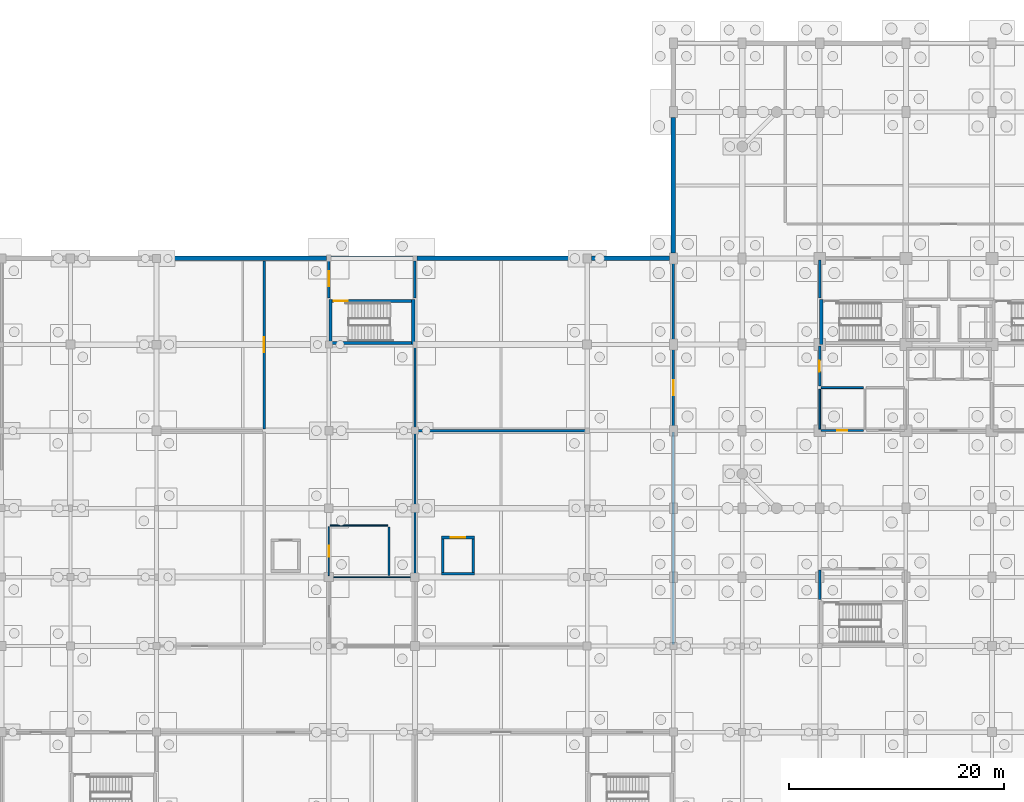
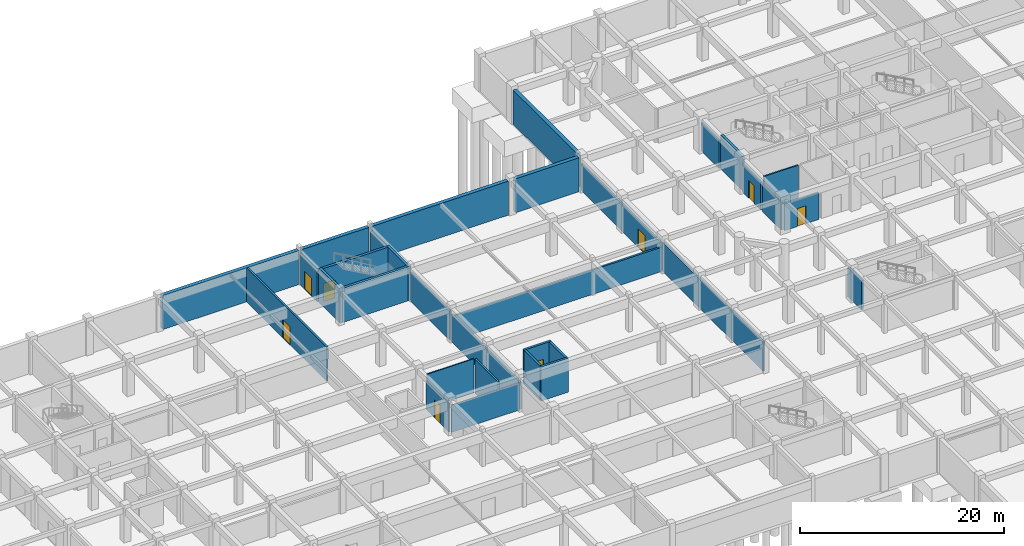
# One storey, part 22 of 28: 32 walls, 8 doors, 8 openings.
"""IFC4 building model written with IfcOpenShell, lengths in metres."""

from ifc_helpers import new_model, si_unit, direction, frame, frame_2d, origin, place, context, subcontext, project, spatial, rectangle, extrude, material, layer, layer_set, type_object, element, fill, save


model = new_model("IFC4")

# Units and contexts
model_context = context("Model", 3, precision=1e-05, world=origin(), true_north=direction((0.0, 1.0)))
body_context = subcontext(model_context, "Body", "Model", "MODEL_VIEW")
ifc_project = project(units=[si_unit("LENGTHUNIT", "METRE"), si_unit("AREAUNIT", "SQUARE_METRE"), si_unit("VOLUMEUNIT", "CUBIC_METRE"), si_unit("PLANEANGLEUNIT", "RADIAN"), si_unit("MASSUNIT", "GRAM", prefix="KILO")], contexts=[model_context])

# Site, building, storey
site_placement = place(None, origin())
site = spatial("IfcSite", under=ifc_project, at=site_placement, CompositionType="ELEMENT")
building_placement = place(site_placement, origin())
building = spatial("IfcBuilding", under=site, at=building_placement, Name="Vellmiral Cinema and Media Centre", CompositionType="ELEMENT")
storey_placement = place(building_placement, frame((0.0, 0.0, -4.5)))
storey = spatial("IfcBuildingStorey", under=building, at=storey_placement, Name="B1", CompositionType="ELEMENT", Elevation=-4.5)

# Walls
ifc_material_1 = material(Name="Concrete C30/37", Category="concrete")
ifc_layer_1 = layer(ifc_material_1, 0.419921875, Name="Concrete C30/37")
ifc_layer_set_1 = layer_set([ifc_layer_1], Name="Concrete C30/37")
wall_type_1 = type_object("IfcWallType", Name="WL-B1-RET-420", PredefinedType="SOLIDWALL", material=ifc_layer_set_1)
wall_1_placement = place(storey_placement, frame((110.39990234375, 108.300048828125, 0.0), z_axis=(0.0, 0.0, 1.0), x_axis=(0.0, -1.0, 0.0)))
element("IfcWall", 1, at=wall_1_placement, inside=storey, type_object=wall_type_1, Name="Basement Retaining Wall B1-054", PredefinedType="SOLIDWALL", context=body_context, shape_type="SweptSolid", body=[
    extrude(rectangle(XDim=12.60009765625, YDim=0.419921875, at=frame_2d((6.300048828125, 0.0))), origin(), (0.0, 0.0, 1.0), 4.080078125),
])
wall_2_placement = place(storey_placement, frame((110.02490234375, 95.199951171875, 0.0), z_axis=(0.0, 0.0, 1.0), x_axis=(-1.0, 0.0, 0.0)))
element("IfcWall", 2, at=wall_2_placement, inside=storey, type_object=wall_type_1, Name="Basement Retaining Wall B1-055", PredefinedType="SOLIDWALL", context=body_context, shape_type="SweptSolid", body=[
    extrude(rectangle(XDim=7.224853515625, YDim=0.419921875, at=frame_2d((3.6123046875, 0.0))), origin(), (0.0, 0.0, 1.0), 4.080078125),
])
wall_3_placement = place(storey_placement, frame((102.0, 95.199951171875, 0.0), z_axis=(0.0, 0.0, 1.0), x_axis=(-1.0, 0.0, 0.0)))
element("IfcWall", 3, at=wall_3_placement, inside=storey, type_object=wall_type_1, Name="Basement Retaining Wall B1-056", PredefinedType="SOLIDWALL", context=body_context, shape_type="SweptSolid", body=[
    extrude(rectangle(XDim=15.39990234375, YDim=0.419921875, at=frame_2d((7.699951171875, 0.0))), origin(), (0.0, 0.0, 1.0), 4.080078125),
])
wall_4_placement = place(storey_placement, frame((86.199951171875, 95.199951171875, 0.0), z_axis=(0.0, 0.0, 1.0), x_axis=(-1.0, 0.0, 0.0)))
element("IfcWall", 4, at=wall_4_placement, inside=storey, type_object=wall_type_1, Name="Basement Retaining Wall B1-057", PredefinedType="SOLIDWALL", context=body_context, shape_type="SweptSolid", body=[
    extrude(rectangle(XDim=7.599853515625, YDim=0.419921875, at=frame_2d((3.7998046875, 0.0))), origin(), (0.0, 0.0, 1.0), 4.080078125),
])
wall_5_placement = place(storey_placement, frame((78.199951171875, 95.199951171875, 0.0), z_axis=(0.0, 0.0, 1.0), x_axis=(-1.0, 0.0, 0.0)))
element("IfcWall", 5, at=wall_5_placement, inside=storey, type_object=wall_type_1, Name="Basement Retaining Wall B1-058", PredefinedType="SOLIDWALL", context=body_context, shape_type="SweptSolid", body=[
    extrude(rectangle(XDim=15.425048828125, YDim=0.419921875, at=frame_2d((7.71240234375, 0.0))), origin(), (0.0, 0.0, 1.0), 4.080078125),
])

# Wall, opening, door
ifc_material_2 = material(Name="Concrete C40/50", Category="concrete")
ifc_layer_2 = layer(ifc_material_2, 0.2099609375, Name="Concrete C40/50")
ifc_layer_set_2 = layer_set([ifc_layer_2], Name="Concrete C40/50")
wall_type_2 = type_object("IfcWallType", Name="WL-COMP-210", PredefinedType="SOLIDWALL", material=ifc_layer_set_2)
wall_6_placement = place(storey_placement, frame((124.0, 83.340087890625, 0.0), z_axis=(0.0, 0.0, 1.0), x_axis=(0.0, 1.0, 0.0)))
wall_6 = element("IfcWall", 6, at=wall_6_placement, inside=storey, type_object=wall_type_2, Name="Electrical and Telecom Riser Room Wall W", PredefinedType="SOLIDWALL", context=body_context, shape_type="SweptSolid", body=[
    extrude(rectangle(XDim=3.719970703125, YDim=0.2099609375, at=frame_2d((1.85986328125, 0.0))), origin(), (0.0, 0.0, 1.0), 3.324951171875),
])
opening_1_placement = place(wall_6_placement, frame((1.360107421875, 0.0, 0.0)))
opening_1 = element("IfcOpeningElement", 7, at=opening_1_placement, cuts=wall_6, Name="Opening D-FD30B", PredefinedType="OPENING", context=body_context, shape_type="SweptSolid", body=[
    extrude(rectangle(XDim=1.0, YDim=2.14990234375, at=frame_2d((0.5, 1.074951171875))), frame((0.0, 0.116943359375, 0.0), z_axis=(0.0, -1.0, 0.0), x_axis=(1.0, 0.0, 0.0)), (0.0, 0.0, 1.0), 0.23388671875),
])
ifc_material_3 = material(Name="Steel Riser Fire Door", Category="steel")
door_type_1 = type_object("IfcDoorType", Name="DR-FD30-1000x2150", OperationType="NOTDEFINED", PredefinedType="DOOR", material=ifc_material_3)
door_1_placement = place(opening_1_placement, frame((1.0, 0.0, 0.0), z_axis=(0.0, 0.0, 1.0), x_axis=(-1.0, 0.0, 0.0)))
door_1 = element("IfcDoor", 8, at=door_1_placement, inside=storey, type_object=door_type_1, Name="Electrical and Telecom Riser Room Door", OperationType="SINGLE_SWING_LEFT", OverallHeight=2.14990234375, OverallWidth=1.0, PredefinedType="DOOR", context=body_context, shape_type="SweptSolid", body=[
    extrude(rectangle(XDim=1.0, YDim=2.14990234375, at=frame_2d((0.5, 1.074951171875))), frame((0.0, 0.02490234375, 0.0), z_axis=(0.0, -1.0, 0.0), x_axis=(1.0, 0.0, 0.0)), (0.0, 0.0, 1.0), 0.050048828125),
])
fill(opening_1, door_1)

wall_7_placement = place(storey_placement, frame((72.39990234375, 79.340087890625, 0.0), z_axis=(0.0, 0.0, 1.0), x_axis=(0.0, 1.0, 0.0)))
wall_7 = element("IfcWall", 9, at=wall_7_placement, inside=storey, type_object=wall_type_2, Name="Compact Mobile Archive Shelving Room Wall E", PredefinedType="SOLIDWALL", context=body_context, shape_type="SweptSolid", body=[
    extrude(rectangle(XDim=15.635009765625, YDim=0.2099609375, at=frame_2d((7.8173828125, 0.0))), origin(), (0.0, 0.0, 1.0), 4.080078125),
])
opening_2_placement = place(wall_7_placement, frame((7.159912109375, 0.0, 0.0)))
opening_2 = element("IfcOpeningElement", 10, at=opening_2_placement, cuts=wall_7, Name="Opening D-FD60B", PredefinedType="OPENING", context=body_context, shape_type="SweptSolid", body=[
    extrude(rectangle(XDim=1.39990234375, YDim=2.199951171875, at=frame_2d((0.699951171875, 1.10009765625))), frame((0.0, 0.116943359375, 0.0), z_axis=(0.0, -1.0, 0.0), x_axis=(1.0, 0.0, 0.0)), (0.0, 0.0, 1.0), 0.23388671875),
])
ifc_material_4 = material(Name="Steel Fire Door", Category="steel")
door_type_2 = type_object("IfcDoorType", Name="DR-FD60-1400x2200", OperationType="NOTDEFINED", PredefinedType="DOOR", material=ifc_material_4)
door_2_placement = place(opening_2_placement, origin())
door_2 = element("IfcDoor", 11, at=door_2_placement, inside=storey, type_object=door_type_2, Name="Compact Mobile Archive Shelving Room Door", OperationType="SINGLE_SWING_LEFT", OverallHeight=2.199951171875, OverallWidth=1.39990234375, PredefinedType="DOOR", context=body_context, shape_type="SweptSolid", body=[
    extrude(rectangle(XDim=1.39990234375, YDim=2.199951171875, at=frame_2d((0.699951171875, 1.10009765625))), frame((0.0, 0.02490234375, 0.0), z_axis=(0.0, -1.0, 0.0), x_axis=(1.0, 0.0, 0.0)), (0.0, 0.0, 1.0), 0.050048828125),
])
fill(opening_2, door_2)

# Walls
wall_8_placement = place(storey_placement, frame((86.5400390625, 79.199951171875, 0.0), z_axis=(0.0, 0.0, 1.0), x_axis=(1.0, 0.0, 0.0)))
element("IfcWall", 12, at=wall_8_placement, inside=storey, type_object=wall_type_2, Name="Sprinkler Water Storage Tank and Pump Room Wall N", PredefinedType="SOLIDWALL", context=body_context, shape_type="SweptSolid", body=[
    extrude(rectangle(XDim=23.719970703125, YDim=0.2099609375, at=frame_2d((11.85986328125, 0.0))), origin(), (0.0, 0.0, 1.0), 2.925048828125),
])
wall_9_placement = place(storey_placement, frame((86.39990234375, 65.60009765625, 0.0), z_axis=(0.0, 0.0, 1.0), x_axis=(0.0, 1.0, 0.0)))
element("IfcWall", 13, at=wall_9_placement, inside=storey, type_object=wall_type_2, Name="Sprinkler Water Storage Tank and Pump Room Wall W", PredefinedType="SOLIDWALL", context=body_context, shape_type="SweptSolid", body=[
    extrude(rectangle(XDim=13.4599609375, YDim=0.2099609375, at=frame_2d((6.72998046875, 0.0))), origin(), (0.0, 0.0, 1.0), 3.27490234375),
])
wall_10_placement = place(storey_placement, frame((110.39990234375, 59.340087890625, 0.0), z_axis=(0.0, 0.0, 1.0), x_axis=(0.0, 1.0, 0.0)))
element("IfcWall", 14, at=wall_10_placement, inside=storey, type_object=wall_type_2, Name="Sprinkler Water Storage Tank and Pump Room Wall E", PredefinedType="SOLIDWALL", context=body_context, shape_type="SweptSolid", body=[
    extrude(rectangle(XDim=19.719970703125, YDim=0.2099609375, at=frame_2d((9.85986328125, 0.0))), origin(), (0.0, 0.0, 1.0), 3.47509765625),
])
wall_11_placement = place(storey_placement, frame((86.39990234375, 79.340087890625, 0.0), z_axis=(0.0, 0.0, 1.0), x_axis=(0.0, 1.0, 0.0)))
element("IfcWall", 15, at=wall_11_placement, inside=storey, type_object=wall_type_2, Name="District Heating Substation Plant Room Wall W", PredefinedType="SOLIDWALL", context=body_context, shape_type="SweptSolid", body=[
    extrude(rectangle(XDim=7.719970703125, YDim=0.2099609375, at=frame_2d((3.85986328125, 0.0))), origin(), (0.0, 0.0, 1.0), 3.47509765625),
])

# Wall, opening, door
wall_12_placement = place(storey_placement, frame((110.39990234375, 79.340087890625, 0.0), z_axis=(0.0, 0.0, 1.0), x_axis=(0.0, 1.0, 0.0)))
wall_12 = element("IfcWall", 16, at=wall_12_placement, inside=storey, type_object=wall_type_2, Name="District Heating Substation Plant Room Wall E", PredefinedType="SOLIDWALL", context=body_context, shape_type="SweptSolid", body=[
    extrude(rectangle(XDim=15.7548828125, YDim=0.2099609375, at=frame_2d((7.87744140625, 0.0))), origin(), (0.0, 0.0, 1.0), 3.22509765625),
])
opening_3_placement = place(wall_12_placement, frame((3.159912109375, 0.0, 0.0)))
opening_3 = element("IfcOpeningElement", 17, at=opening_3_placement, cuts=wall_12, Name="Opening D-FD60B", PredefinedType="OPENING", context=body_context, shape_type="SweptSolid", body=[
    extrude(rectangle(XDim=1.39990234375, YDim=2.199951171875, at=frame_2d((0.699951171875, 1.10009765625))), frame((0.0, 0.116943359375, 0.0), z_axis=(0.0, -1.0, 0.0), x_axis=(1.0, 0.0, 0.0)), (0.0, 0.0, 1.0), 0.23388671875),
])
door_3_placement = place(opening_3_placement, origin())
door_3 = element("IfcDoor", 18, at=door_3_placement, inside=storey, type_object=door_type_2, Name="District Heating Substation Plant Room Door", OperationType="SINGLE_SWING_LEFT", OverallHeight=2.199951171875, OverallWidth=1.39990234375, PredefinedType="DOOR", context=body_context, shape_type="SweptSolid", body=[
    extrude(rectangle(XDim=1.39990234375, YDim=2.199951171875, at=frame_2d((0.699951171875, 1.10009765625))), frame((0.0, 0.02490234375, 0.0), z_axis=(0.0, -1.0, 0.0), x_axis=(1.0, 0.0, 0.0)), (0.0, 0.0, 1.0), 0.050048828125),
])
fill(opening_3, door_3)

# Walls
ifc_material_5 = material(Name="Concrete C40/50", Category="concrete")
ifc_layer_3 = layer(ifc_material_5, 0.300048828125, Name="Concrete C40/50")
ifc_layer_set_3 = layer_set([ifc_layer_3], Name="Concrete C40/50")
wall_type_3 = type_object("IfcWallType", Name="WL-CORE-300", PredefinedType="SHEAR", material=ifc_layer_set_3)
for number, where, z_axis, x_axis, name in (
    (19, (78.550048828125, 87.199951171875, 0.0), (0.0, 0.0, 1.0), (0.0, 1.0, 0.0), "Stair Core Wall ST-P5 B1-W"),
    (20, (86.25, 87.199951171875, 0.0), (0.0, 0.0, 1.0), (0.0, 1.0, 0.0), "Stair Core Wall ST-P5 B1-E"),
):
    element("IfcWall", number, at=place(storey_placement, frame(where, z_axis=z_axis, x_axis=x_axis)), inside=storey, type_object=wall_type_3, Name=name, PredefinedType="SHEAR", context=body_context, shape_type="SweptSolid", body=[
        extrude(rectangle(XDim=4.199951171875, YDim=0.300048828125, at=frame_2d((2.10009765625, 0.0))), origin(), (0.0, 0.0, 1.0), 4.080078125),
    ])
wall_13_placement = place(storey_placement, frame((78.699951171875, 87.35009765625, 0.0), z_axis=(0.0, 0.0, 1.0), x_axis=(1.0, 0.0, 0.0)))
element("IfcWall", 21, at=wall_13_placement, inside=storey, type_object=wall_type_3, Name="Stair Core Wall ST-P5 B1-S", PredefinedType="SHEAR", context=body_context, shape_type="SweptSolid", body=[
    extrude(rectangle(XDim=7.400146484375, YDim=0.300048828125, at=frame_2d((3.7001953125, 0.0))), origin(), (0.0, 0.0, 1.0), 4.080078125),
])

# Wall, opening, door
wall_14_placement = place(storey_placement, frame((78.699951171875, 91.25, 0.0), z_axis=(0.0, 0.0, 1.0), x_axis=(1.0, 0.0, 0.0)))
wall_14 = element("IfcWall", 22, at=wall_14_placement, inside=storey, type_object=wall_type_3, Name="Stair Core Wall ST-P5 B1-N", PredefinedType="SHEAR", context=body_context, shape_type="SweptSolid", body=[
    extrude(rectangle(XDim=7.400146484375, YDim=0.300048828125, at=frame_2d((3.7001953125, 0.0))), origin(), (0.0, 0.0, 1.0), 4.080078125),
])
opening_4_placement = place(wall_14_placement, frame((0.159912109375, 0.0, 0.0)))
opening_4 = element("IfcOpeningElement", 23, at=opening_4_placement, cuts=wall_14, Name="Opening D-FD30A", PredefinedType="OPENING", context=body_context, shape_type="SweptSolid", body=[
    extrude(rectangle(XDim=1.300048828125, YDim=2.179931640625, at=frame_2d((0.64990234375, 1.08984375))), frame((0.0, 0.162109375, 0.0), z_axis=(0.0, -1.0, 0.0), x_axis=(1.0, 0.0, 0.0)), (0.0, 0.0, 1.0), 0.323974609375),
])
ifc_material_6 = material(Name="Steel Stair Fire Door", Category="steel")
door_type_3 = type_object("IfcDoorType", Name="DR-FD30-1300x2180", OperationType="NOTDEFINED", PredefinedType="DOOR", material=ifc_material_6)
door_4_placement = place(opening_4_placement, frame((1.300048828125, 0.0, 0.0), z_axis=(0.0, 0.0, 1.0), x_axis=(-1.0, 0.0, 0.0)))
door_4 = element("IfcDoor", 24, at=door_4_placement, inside=storey, type_object=door_type_3, Name="Protected Stair Door ST-P5 B1", OperationType="SINGLE_SWING_RIGHT", OverallHeight=2.179931640625, OverallWidth=1.300048828125, PredefinedType="DOOR", context=body_context, shape_type="SweptSolid", body=[
    extrude(rectangle(XDim=1.300048828125, YDim=2.179931640625, at=frame_2d((0.64990234375, 1.08984375))), frame((0.0, 0.02490234375, 0.0), z_axis=(0.0, -1.0, 0.0), x_axis=(1.0, 0.0, 0.0)), (0.0, 0.0, 1.0), 0.050048828125),
])
fill(opening_4, door_4)

# Wall
wall_15_placement = place(storey_placement, frame((124.14990234375, 87.199951171875, 0.0), z_axis=(0.0, 0.0, 1.0), x_axis=(0.0, 1.0, 0.0)))
element("IfcWall", 25, at=wall_15_placement, inside=storey, type_object=wall_type_3, Name="Stair Core Wall ST-T1 B1-W", PredefinedType="SHEAR", context=body_context, shape_type="SweptSolid", body=[
    extrude(rectangle(XDim=4.199951171875, YDim=0.300048828125, at=frame_2d((2.10009765625, 0.0))), origin(), (0.0, 0.0, 1.0), 4.080078125),
])

# Wall, opening, door
ifc_material_7 = material(Name="Concrete C40/50", Category="concrete")
ifc_layer_4 = layer(ifc_material_7, 0.22998046875, Name="Concrete C40/50")
ifc_layer_set_4 = layer_set([ifc_layer_4], Name="Concrete C40/50")
wall_type_4 = type_object("IfcWallType", Name="WL-FFL-230", PredefinedType="SOLIDWALL", material=ifc_layer_set_4)
wall_16_placement = place(storey_placement, frame((78.39990234375, 91.5400390625, 0.0), z_axis=(0.0, 0.0, 1.0), x_axis=(0.0, 1.0, 0.0)))
wall_16 = element("IfcWall", 26, at=wall_16_placement, inside=storey, type_object=wall_type_4, Name="Firefighting Stair Lobby ST-P5 Wall W", PredefinedType="SOLIDWALL", context=body_context, shape_type="SweptSolid", body=[
    extrude(rectangle(XDim=3.43505859375, YDim=0.22998046875, at=frame_2d((1.717529296875, 0.0))), origin(), (0.0, 0.0, 1.0), 3.625),
])
opening_5_placement = place(wall_16_placement, frame((1.06005859375, 0.0, 0.0)))
opening_5 = element("IfcOpeningElement", 27, at=opening_5_placement, cuts=wall_16, Name="Opening D-FD60B", PredefinedType="OPENING", context=body_context, shape_type="SweptSolid", body=[
    extrude(rectangle(XDim=1.39990234375, YDim=2.199951171875, at=frame_2d((0.699951171875, 1.10009765625))), frame((0.0, 0.126953125, 0.0), z_axis=(0.0, -1.0, 0.0), x_axis=(1.0, 0.0, 0.0)), (0.0, 0.0, 1.0), 0.25390625),
])
door_5_placement = place(opening_5_placement, frame((1.39990234375, 0.0, 0.0), z_axis=(0.0, 0.0, 1.0), x_axis=(-1.0, 0.0, 0.0)))
door_5 = element("IfcDoor", 28, at=door_5_placement, inside=storey, type_object=door_type_2, Name="Firefighting Stair Lobby ST-P5 Door", OperationType="SINGLE_SWING_LEFT", OverallHeight=2.199951171875, OverallWidth=1.39990234375, PredefinedType="DOOR", context=body_context, shape_type="SweptSolid", body=[
    extrude(rectangle(XDim=1.39990234375, YDim=2.199951171875, at=frame_2d((0.699951171875, 1.10009765625))), frame((0.0, 0.02490234375, 0.0), z_axis=(0.0, -1.0, 0.0), x_axis=(1.0, 0.0, 0.0)), (0.0, 0.0, 1.0), 0.050048828125),
])
fill(opening_5, door_5)

# Walls
wall_17_placement = place(storey_placement, frame((86.39990234375, 91.5400390625, 0.0), z_axis=(0.0, 0.0, 1.0), x_axis=(0.0, 1.0, 0.0)))
element("IfcWall", 29, at=wall_17_placement, inside=storey, type_object=wall_type_4, Name="Firefighting Stair Lobby ST-P5 Wall E", PredefinedType="SOLIDWALL", context=body_context, shape_type="SweptSolid", body=[
    extrude(rectangle(XDim=3.43505859375, YDim=0.22998046875, at=frame_2d((1.717529296875, 0.0))), origin(), (0.0, 0.0, 1.0), 3.52490234375),
])
wall_18_placement = place(storey_placement, frame((124.0, 63.5400390625, 0.0), z_axis=(0.0, 0.0, 1.0), x_axis=(0.0, 1.0, 0.0)))
element("IfcWall", 30, at=wall_18_placement, inside=storey, type_object=wall_type_4, Name="Firefighting Stair Lobby ST-P6 Wall W", PredefinedType="SOLIDWALL", context=body_context, shape_type="SweptSolid", body=[
    extrude(rectangle(XDim=2.719970703125, YDim=0.22998046875, at=frame_2d((1.35986328125, 0.0))), origin(), (0.0, 0.0, 1.0), 3.52490234375),
])
wall_19_placement = place(storey_placement, frame((124.0, 91.5400390625, 0.0), z_axis=(0.0, 0.0, 1.0), x_axis=(0.0, 1.0, 0.0)))
element("IfcWall", 31, at=wall_19_placement, inside=storey, type_object=wall_type_4, Name="Firefighting Lobby West Wall W", PredefinedType="SOLIDWALL", context=body_context, shape_type="SweptSolid", body=[
    extrude(rectangle(XDim=3.52001953125, YDim=0.22998046875, at=frame_2d((1.760009765625, 0.0))), origin(), (0.0, 0.0, 1.0), 3.375),
])
ifc_material_8 = material(Name="Gypsum Plasterboard")
ifc_layer_5 = layer(ifc_material_8, 0.02490234375, Name="Gypsum Plasterboard", Category="gypsum")
ifc_material_9 = material(Name="Mineral Wool Acoustic Insulation", Category="insulation")
ifc_layer_6 = layer(ifc_material_9, 0.06005859375, Name="Mineral Wool Acoustic Insulation", Category="insulation")
ifc_layer_7 = layer(ifc_material_8, 0.02490234375, Name="Gypsum Plasterboard", Category="gypsum")
ifc_layer_set_5 = layer_set([ifc_layer_5, ifc_layer_6, ifc_layer_7], Name="Gypsum Plasterboard")
wall_type_5 = type_object("IfcWallType", Name="WL-PART-110", PredefinedType="PARTITIONING", material=ifc_layer_set_5)
wall_20_placement = place(storey_placement, frame((78.5400390625, 65.60009765625, 0.0), z_axis=(0.0, 0.0, 1.0), x_axis=(1.0, 0.0, 0.0)))
element("IfcWall", 32, at=wall_20_placement, inside=storey, type_object=wall_type_5, Name="Basement Podium Staff WC Wall N", PredefinedType="PARTITIONING", context=body_context, shape_type="SweptSolid", body=[
    extrude(rectangle(XDim=7.719970703125, YDim=0.110107421875, at=frame_2d((3.85986328125, 0.0))), origin(), (0.0, 0.0, 1.0), 3.27490234375),
])

# Wall, opening, door
wall_21_placement = place(storey_placement, frame((78.39990234375, 65.739990234375, 0.0), z_axis=(0.0, 0.0, 1.0), x_axis=(0.0, 1.0, 0.0)))
wall_21 = element("IfcWall", 33, at=wall_21_placement, inside=storey, type_object=wall_type_5, Name="Basement Podium Accessible WC Wall W", PredefinedType="PARTITIONING", context=body_context, shape_type="SweptSolid", body=[
    extrude(rectangle(XDim=4.52001953125, YDim=0.110107421875, at=frame_2d((2.260009765625, 0.0))), origin(), (0.0, 0.0, 1.0), 3.425048828125),
])
opening_6_placement = place(wall_21_placement, frame((1.735107421875, 0.0, 0.0)))
opening_6 = element("IfcOpeningElement", 34, at=opening_6_placement, cuts=wall_21, Name="Opening D-I10", PredefinedType="OPENING", context=body_context, shape_type="SweptSolid", body=[
    extrude(rectangle(XDim=1.050048828125, YDim=2.14990234375, at=frame_2d((0.52490234375, 1.074951171875))), frame((0.0, 0.06689453125, 0.0), z_axis=(0.0, -1.0, 0.0), x_axis=(1.0, 0.0, 0.0)), (0.0, 0.0, 1.0), 0.134033203125),
])
ifc_material_10 = material(Name="Barrier-Free Timber Door", Category="wood")
door_type_4 = type_object("IfcDoorType", Name="DR-ACC-1050x2150", OperationType="NOTDEFINED", PredefinedType="DOOR", material=ifc_material_10)
door_6_placement = place(opening_6_placement, frame((1.050048828125, 0.0, 0.0), z_axis=(0.0, 0.0, 1.0), x_axis=(-1.0, 0.0, 0.0)))
door_6 = element("IfcDoor", 35, at=door_6_placement, inside=storey, type_object=door_type_4, Name="Basement Podium Accessible WC Door", OperationType="SINGLE_SWING_LEFT", OverallHeight=2.14990234375, OverallWidth=1.050048828125, PredefinedType="DOOR", context=body_context, shape_type="SweptSolid", body=[
    extrude(rectangle(XDim=1.050048828125, YDim=2.14990234375, at=frame_2d((0.52490234375, 1.074951171875))), frame((0.0, 0.02490234375, 0.0), z_axis=(0.0, -1.0, 0.0), x_axis=(1.0, 0.0, 0.0)), (0.0, 0.0, 1.0), 0.050048828125),
])
fill(opening_6, door_6)

# Walls
ifc_material_11 = material(Name="Gypsum Plasterboard")
ifc_layer_8 = layer(ifc_material_11, 0.02490234375, Name="Gypsum Plasterboard", Category="gypsum")
ifc_material_12 = material(Name="Mineral Wool Acoustic Insulation", Category="insulation")
ifc_layer_9 = layer(ifc_material_12, 0.080078125, Name="Mineral Wool Acoustic Insulation", Category="insulation")
ifc_layer_10 = layer(ifc_material_11, 0.02490234375, Name="Gypsum Plasterboard", Category="gypsum")
ifc_layer_set_6 = layer_set([ifc_layer_8, ifc_layer_9, ifc_layer_10], Name="Gypsum Plasterboard")
wall_type_6 = type_object("IfcWallType", Name="WL-PART-130", PredefinedType="PARTITIONING", material=ifc_layer_set_6)
wall_22_placement = place(storey_placement, frame((78.5400390625, 70.39990234375, 0.0), z_axis=(0.0, 0.0, 1.0), x_axis=(1.0, 0.0, 0.0)))
element("IfcWall", 36, at=wall_22_placement, inside=storey, type_object=wall_type_6, Name="Basement Podium Accessible WC Wall N", PredefinedType="PARTITIONING", context=body_context, shape_type="SweptSolid", body=[
    extrude(rectangle(XDim=5.320068359375, YDim=0.1298828125, at=frame_2d((2.66015625, 0.0))), origin(), (0.0, 0.0, 1.0), 4.080078125),
])
ifc_material_13 = material(Name="Gypsum Plasterboard")
ifc_layer_11 = layer(ifc_material_13, 0.02490234375, Name="Gypsum Plasterboard", Category="gypsum")
ifc_material_14 = material(Name="Mineral Wool Acoustic Insulation", Category="insulation")
ifc_layer_12 = layer(ifc_material_14, 0.10009765625, Name="Mineral Wool Acoustic Insulation", Category="insulation")
ifc_layer_13 = layer(ifc_material_13, 0.02490234375, Name="Gypsum Plasterboard", Category="gypsum")
ifc_layer_set_7 = layer_set([ifc_layer_11, ifc_layer_12, ifc_layer_13], Name="Gypsum Plasterboard")
wall_type_7 = type_object("IfcWallType", Name="WL-PART-150", PredefinedType="PARTITIONING", material=ifc_layer_set_7)
wall_23_placement = place(storey_placement, frame((124.0, 79.340087890625, 0.0), z_axis=(0.0, 0.0, 1.0), x_axis=(0.0, 1.0, 0.0)))
element("IfcWall", 37, at=wall_23_placement, inside=storey, type_object=wall_type_7, Name="Staff WC Wall W", PredefinedType="PARTITIONING", context=body_context, shape_type="SweptSolid", body=[
    extrude(rectangle(XDim=3.719970703125, YDim=0.14990234375, at=frame_2d((1.85986328125, 0.0))), origin(), (0.0, 0.0, 1.0), 3.324951171875),
])
ifc_material_15 = material(Name="Gypsum Plasterboard")
ifc_layer_14 = layer(ifc_material_15, 0.02490234375, Name="Gypsum Plasterboard", Category="gypsum")
ifc_material_16 = material(Name="Mineral Wool Acoustic Insulation", Category="insulation")
ifc_layer_15 = layer(ifc_material_16, 0.1201171875, Name="Mineral Wool Acoustic Insulation", Category="insulation")
ifc_layer_16 = layer(ifc_material_15, 0.02490234375, Name="Gypsum Plasterboard", Category="gypsum")
ifc_layer_set_8 = layer_set([ifc_layer_14, ifc_layer_15, ifc_layer_16], Name="Gypsum Plasterboard")
wall_type_8 = type_object("IfcWallType", Name="WL-PART-170", PredefinedType="PARTITIONING", material=ifc_layer_set_8)
wall_24_placement = place(storey_placement, frame((124.139892578125, 83.199951171875, 0.0), z_axis=(0.0, 0.0, 1.0), x_axis=(1.0, 0.0, 0.0)))
element("IfcWall", 38, at=wall_24_placement, inside=storey, type_object=wall_type_8, Name="Staff WC Wall N", PredefinedType="PARTITIONING", context=body_context, shape_type="SweptSolid", body=[
    extrude(rectangle(XDim=3.920166015625, YDim=0.169921875, at=frame_2d((1.9599609375, 0.0))), origin(), (0.0, 0.0, 1.0), 4.080078125),
])

# Wall, opening, door
ifc_material_17 = material(Name="Gypsum Plasterboard")
ifc_layer_17 = layer(ifc_material_17, 0.02490234375, Name="Gypsum Plasterboard", Category="gypsum")
ifc_material_18 = material(Name="Mineral Wool Acoustic Insulation", Category="insulation")
ifc_layer_18 = layer(ifc_material_18, 0.139892578125, Name="Mineral Wool Acoustic Insulation", Category="insulation")
ifc_layer_19 = layer(ifc_material_17, 0.02490234375, Name="Gypsum Plasterboard", Category="gypsum")
ifc_layer_set_9 = layer_set([ifc_layer_17, ifc_layer_18, ifc_layer_19], Name="Gypsum Plasterboard")
wall_type_9 = type_object("IfcWallType", Name="WL-PART-190", PredefinedType="PARTITIONING", material=ifc_layer_set_9)
wall_25_placement = place(storey_placement, frame((124.139892578125, 79.199951171875, 0.0), z_axis=(0.0, 0.0, 1.0), x_axis=(1.0, 0.0, 0.0)))
wall_25 = element("IfcWall", 39, at=wall_25_placement, inside=storey, type_object=wall_type_9, Name="Staff WC Wall S", PredefinedType="PARTITIONING", context=body_context, shape_type="SweptSolid", body=[
    extrude(rectangle(XDim=3.920166015625, YDim=0.18994140625, at=frame_2d((1.9599609375, 0.0))), origin(), (0.0, 0.0, 1.0), 3.22509765625),
])
opening_7_placement = place(wall_25_placement, frame((1.485107421875, 0.0, 0.0)))
opening_7 = element("IfcOpeningElement", 40, at=opening_7_placement, cuts=wall_25, Name="Opening D-I09", PredefinedType="OPENING", context=body_context, shape_type="SweptSolid", body=[
    extrude(rectangle(XDim=0.949951171875, YDim=2.14990234375, at=frame_2d((0.47509765625, 1.074951171875))), frame((0.0, 0.10693359375, 0.0), z_axis=(0.0, -1.0, 0.0), x_axis=(1.0, 0.0, 0.0)), (0.0, 0.0, 1.0), 0.2138671875),
])
ifc_material_19 = material(Name="Moisture-Resistant Timber Door", Category="wood")
door_type_5 = type_object("IfcDoorType", Name="DR-INT-950x2150", OperationType="NOTDEFINED", PredefinedType="DOOR", material=ifc_material_19)
door_7_placement = place(opening_7_placement, origin())
door_7 = element("IfcDoor", 41, at=door_7_placement, inside=storey, type_object=door_type_5, Name="Staff WC Door", OperationType="SINGLE_SWING_LEFT", OverallHeight=2.14990234375, OverallWidth=0.949951171875, PredefinedType="DOOR", context=body_context, shape_type="SweptSolid", body=[
    extrude(rectangle(XDim=0.949951171875, YDim=2.14990234375, at=frame_2d((0.47509765625, 1.074951171875))), frame((0.0, 0.02490234375, 0.0), z_axis=(0.0, -1.0, 0.0), x_axis=(1.0, 0.0, 0.0)), (0.0, 0.0, 1.0), 0.050048828125),
])
fill(opening_7, door_7)

# Walls
wall_26_placement = place(storey_placement, frame((84.0, 65.739990234375, 0.0), z_axis=(0.0, 0.0, 1.0), x_axis=(0.0, 1.0, 0.0)))
element("IfcWall", 42, at=wall_26_placement, inside=storey, type_object=wall_type_9, Name="Basement Podium Accessible WC Wall E", PredefinedType="PARTITIONING", context=body_context, shape_type="SweptSolid", body=[
    extrude(rectangle(XDim=4.52001953125, YDim=0.18994140625, at=frame_2d((2.260009765625, 0.0))), origin(), (0.0, 0.0, 1.0), 4.080078125),
])
ifc_material_20 = material(Name="Concrete C40/50", Category="concrete")
ifc_layer_20 = layer(ifc_material_20, 0.25, Name="Concrete C40/50")
ifc_layer_set_10 = layer_set([ifc_layer_20], Name="Concrete C40/50")
wall_type_10 = type_object("IfcWallType", Name="WL-SHAFT-250", PredefinedType="SHEAR", material=ifc_layer_set_10)
wall_27_placement = place(storey_placement, frame((88.85009765625, 65.925048828125, 0.0), z_axis=(0.0, 0.0, 1.0), x_axis=(1.0, 0.0, 0.0)))
element("IfcWall", 43, at=wall_27_placement, inside=storey, type_object=wall_type_10, Name="Lift Shaft Wall LF-G1 B1-S", PredefinedType="SHEAR", context=body_context, shape_type="SweptSolid", body=[
    extrude(rectangle(XDim=3.099853515625, YDim=0.25, at=frame_2d((1.5498046875, 0.0))), origin(), (0.0, 0.0, 1.0), 4.080078125),
])

# Wall, opening, door
wall_28_placement = place(storey_placement, frame((88.85009765625, 69.27490234375, 0.0), z_axis=(0.0, 0.0, 1.0), x_axis=(1.0, 0.0, 0.0)))
wall_28 = element("IfcWall", 44, at=wall_28_placement, inside=storey, type_object=wall_type_10, Name="Lift Shaft Wall LF-G1 B1-N", PredefinedType="SHEAR", context=body_context, shape_type="SweptSolid", body=[
    extrude(rectangle(XDim=3.099853515625, YDim=0.25, at=frame_2d((1.5498046875, 0.0))), origin(), (0.0, 0.0, 1.0), 4.080078125),
])
opening_8_placement = place(wall_28_placement, frame((0.875, 0.0, 0.0)))
opening_8 = element("IfcOpeningElement", 45, at=opening_8_placement, cuts=wall_28, Name="Opening LD-02", PredefinedType="OPENING", context=body_context, shape_type="SweptSolid", body=[
    extrude(rectangle(XDim=1.35009765625, YDim=2.199951171875, at=frame_2d((0.675048828125, 1.10009765625))), frame((0.0, 0.136962890625, 0.0), z_axis=(0.0, -1.0, 0.0), x_axis=(1.0, 0.0, 0.0)), (0.0, 0.0, 1.0), 0.27392578125),
])
ifc_material_21 = material(Name="Stainless Steel Goods Lift Landing Door", Category="steel")
door_type_6 = type_object("IfcDoorType", Name="DR-LIFT-1350x2200", OperationType="SLIDING_TO_LEFT", PredefinedType="DOOR", material=ifc_material_21)
door_8_placement = place(opening_8_placement, origin())
door_8 = element("IfcDoor", 46, at=door_8_placement, inside=storey, type_object=door_type_6, Name="Lift Landing Door LF-G1 B1", OperationType="SLIDING_TO_LEFT", OverallHeight=2.199951171875, OverallWidth=1.35009765625, PredefinedType="DOOR", context=body_context, shape_type="SweptSolid", body=[
    extrude(rectangle(XDim=1.35009765625, YDim=2.199951171875, at=frame_2d((0.675048828125, 1.10009765625))), frame((0.0, 0.02490234375, 0.0), z_axis=(0.0, -1.0, 0.0), x_axis=(1.0, 0.0, 0.0)), (0.0, 0.0, 1.0), 0.050048828125),
])
fill(opening_8, door_8)

# Walls
for number, where, z_axis, x_axis, name in (
    (47, (88.97509765625, 66.050048828125, 0.0), (0.0, 0.0, 1.0), (0.0, 1.0, 0.0), "Lift Shaft Wall LF-G1 B1-W"),
    (48, (91.824951171875, 66.050048828125, 0.0), (0.0, 0.0, 1.0), (0.0, 1.0, 0.0), "Lift Shaft Wall LF-G1 B1-E"),
):
    element("IfcWall", number, at=place(storey_placement, frame(where, z_axis=z_axis, x_axis=x_axis)), inside=storey, type_object=wall_type_10, Name=name, PredefinedType="SHEAR", context=body_context, shape_type="SweptSolid", body=[
        extrude(rectangle(XDim=3.099853515625, YDim=0.25, at=frame_2d((1.5498046875, 0.0))), origin(), (0.0, 0.0, 1.0), 4.080078125),
    ])

save(model, "model.ifc")
